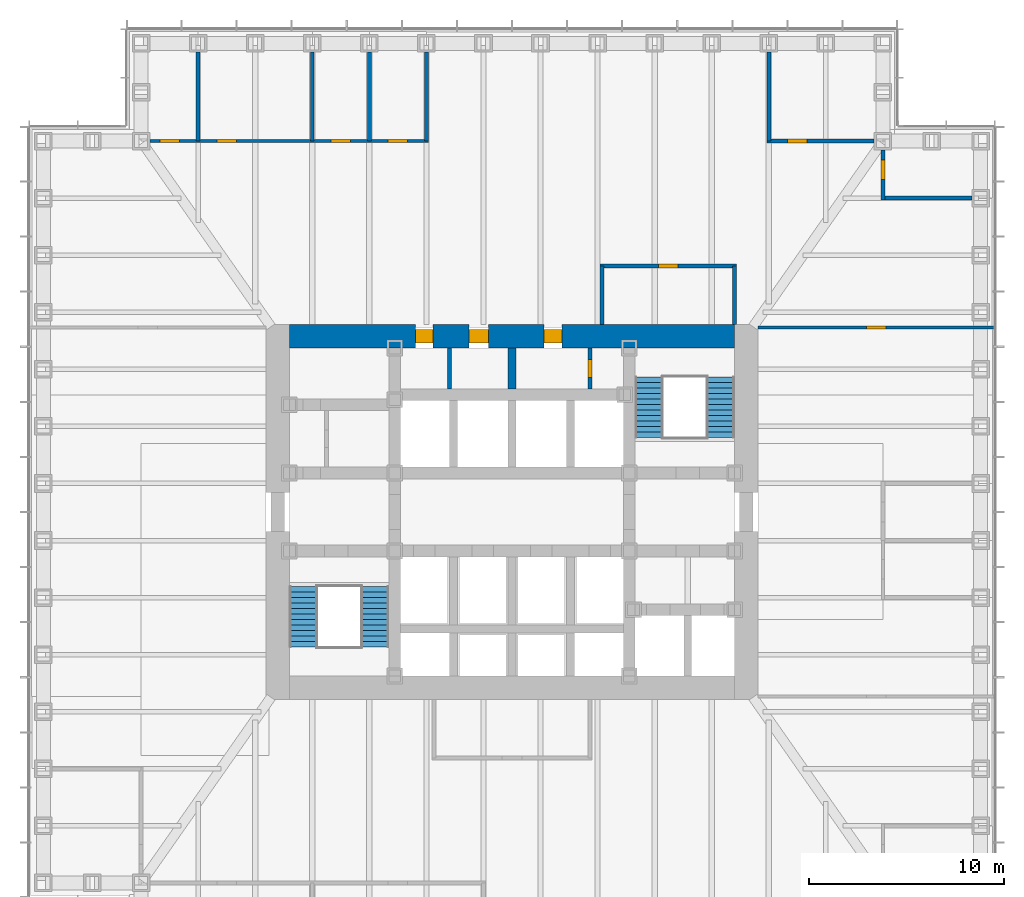
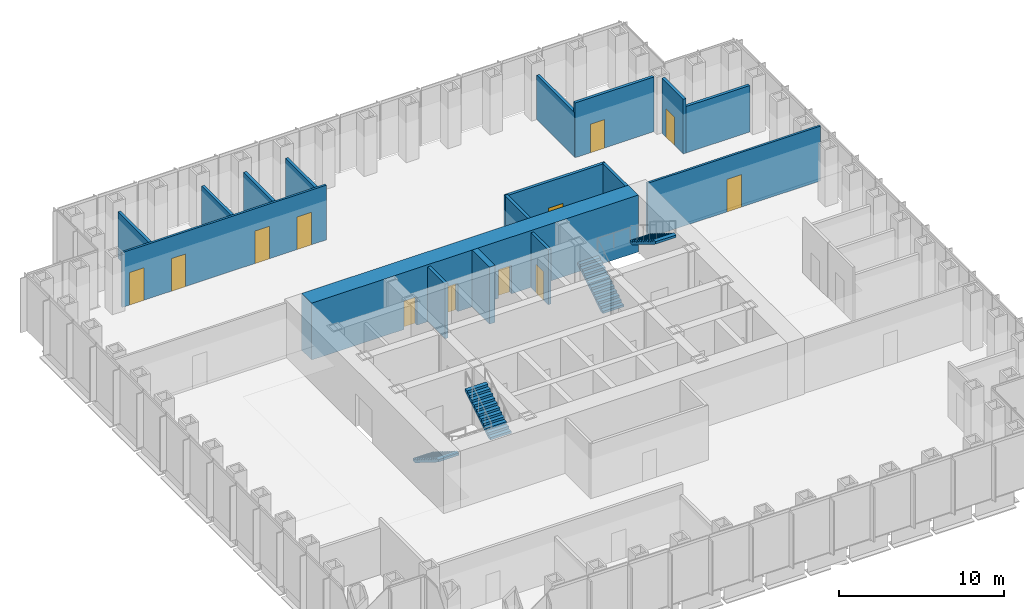
# One storey, part 10 of 16: 17 walls, 12 doors, 4 stair flights, 12 openings, 2 elements without a shape of their own.
"""IFC4 building model written with IfcOpenShell, lengths in metres."""

from ifc_helpers import new_model, si_unit, direction, frame, frame_2d, origin, place, context, subcontext, project, spatial, polyline, rectangle, outline, extrude, material, layer, layer_set, type_object, element, fill, aggregate, save


model = new_model("IFC4")

# Units and contexts
model_context = context("Model", 3, precision=1e-05, world=origin(), true_north=direction((0.0, 1.0)))
body_context = subcontext(model_context, "Body", "Model", "MODEL_VIEW")
ifc_project = project(units=[si_unit("LENGTHUNIT", "METRE"), si_unit("AREAUNIT", "SQUARE_METRE"), si_unit("VOLUMEUNIT", "CUBIC_METRE"), si_unit("PLANEANGLEUNIT", "RADIAN"), si_unit("MASSUNIT", "GRAM", prefix="KILO")], contexts=[model_context])

# Site, building, storey
site_placement = place(None, origin())
site = spatial("IfcSite", under=ifc_project, at=site_placement, CompositionType="ELEMENT")
building_placement = place(site_placement, origin())
building = spatial("IfcBuilding", under=site, at=building_placement, Name="Daluyong Arena Tower", CompositionType="ELEMENT")
storey_placement = place(building_placement, frame((0.0, 0.0, 68.5)))
storey = spatial("IfcBuildingStorey", under=building, at=storey_placement, Name="L14", CompositionType="ELEMENT", Elevation=68.5)

# Wall, openings, doors
ifc_material_1 = material(Name="Concrete fc' 60 MPa", Category="concrete")
ifc_layer_1 = layer(ifc_material_1, 1.199951171875)
ifc_layer_set_1 = layer_set([ifc_layer_1], Name="Concrete fc' 60 MPa")
wall_type_1 = type_object("IfcWallType", Name="Core wall 1200", PredefinedType="SHEAR", material=ifc_layer_set_1)
wall_1_placement = place(storey_placement, frame((44.60009765625, 89.0, 0.0), z_axis=(0.0, 0.0, 1.0), x_axis=(1.0, 0.0, 0.0)))
wall_1 = element("IfcWall", 1, at=wall_1_placement, inside=storey, type_object=wall_type_1, Name="core wall at L14", PredefinedType="SHEAR", context=body_context, shape_type="SweptSolid", body=[
    extrude(rectangle(XDim=22.7998046875, YDim=1.199951171875, at=frame_2d((11.39990234375, 0.0))), origin(), (0.0, 0.0, 1.0), 4.199951171875),
])
opening_1_placement = place(wall_1_placement, frame((9.199951171875, 0.0, 0.0)))
opening_1 = element("IfcOpeningElement", 2, at=opening_1_placement, cuts=wall_1, Name="Opening 14004", PredefinedType="OPENING", context=body_context, shape_type="SweptSolid", body=[
    extrude(rectangle(XDim=1.0, YDim=2.10009765625, at=frame_2d((0.5, 1.050048828125))), frame((0.0, 0.60986328125, 0.0), z_axis=(0.0, -1.0, 0.0), x_axis=(1.0, 0.0, 0.0)), (0.0, 0.0, 1.0), 1.219970703125),
])
opening_2_placement = place(wall_1_placement, frame((6.449951171875, 0.0, 0.0)))
opening_2 = element("IfcOpeningElement", 3, at=opening_2_placement, cuts=wall_1, Name="Opening 14005", PredefinedType="OPENING", context=body_context, shape_type="SweptSolid", body=[
    extrude(rectangle(XDim=0.89990234375, YDim=2.10009765625, at=frame_2d((0.449951171875, 1.050048828125))), frame((0.0, 0.60986328125, 0.0), z_axis=(0.0, -1.0, 0.0), x_axis=(1.0, 0.0, 0.0)), (0.0, 0.0, 1.0), 1.219970703125),
])
opening_3_placement = place(wall_1_placement, frame((13.050048828125, 0.0, 0.0)))
opening_3 = element("IfcOpeningElement", 4, at=opening_3_placement, cuts=wall_1, Name="Opening 14006", PredefinedType="OPENING", context=body_context, shape_type="SweptSolid", body=[
    extrude(rectangle(XDim=0.89990234375, YDim=2.10009765625, at=frame_2d((0.449951171875, 1.050048828125))), frame((0.0, 0.60986328125, 0.0), z_axis=(0.0, -1.0, 0.0), x_axis=(1.0, 0.0, 0.0)), (0.0, 0.0, 1.0), 1.219970703125),
])
ifc_material_2 = material(Name="Timber door", Category="wood")
door_type_1 = type_object("IfcDoorType", Name="Accessible toilet door 1000", OperationType="SINGLE_SWING_LEFT", PredefinedType="DOOR", material=ifc_material_2)
door_1_placement = place(opening_1_placement, origin())
door_1 = element("IfcDoor", 5, at=door_1_placement, inside=storey, type_object=door_type_1, Name="accessible toilet door 14004", OperationType="SINGLE_SWING_LEFT", OverallHeight=2.10009765625, OverallWidth=1.0, PredefinedType="DOOR", context=body_context, shape_type="SweptSolid", body=[
    extrude(rectangle(XDim=1.0, YDim=2.10009765625, at=frame_2d((0.5, 1.050048828125))), frame((0.0, 0.35009765625, 0.0), z_axis=(0.0, -1.0, 0.0), x_axis=(1.0, 0.0, 0.0)), (0.0, 0.0, 1.0), 0.699951171875),
])
fill(opening_1, door_1)
ifc_material_3 = material(Name="Steel door, fire rated", Category="steel")
door_type_2 = type_object("IfcDoorType", Name="Core room door 900", OperationType="SINGLE_SWING_LEFT", PredefinedType="DOOR", material=ifc_material_3)
door_2_placement = place(opening_2_placement, origin())
door_2 = element("IfcDoor", 6, at=door_2_placement, inside=storey, type_object=door_type_2, Name="parcel room door 14005", OperationType="SINGLE_SWING_LEFT", OverallHeight=2.10009765625, OverallWidth=0.89990234375, PredefinedType="DOOR", context=body_context, shape_type="SweptSolid", body=[
    extrude(rectangle(XDim=0.89990234375, YDim=2.10009765625, at=frame_2d((0.449951171875, 1.050048828125))), frame((0.0, 0.35009765625, 0.0), z_axis=(0.0, -1.0, 0.0), x_axis=(1.0, 0.0, 0.0)), (0.0, 0.0, 1.0), 0.699951171875),
])
fill(opening_2, door_2)
door_3_placement = place(opening_3_placement, origin())
door_3 = element("IfcDoor", 7, at=door_3_placement, inside=storey, type_object=door_type_2, Name="print room door 14006", OperationType="SINGLE_SWING_LEFT", OverallHeight=2.10009765625, OverallWidth=0.89990234375, PredefinedType="DOOR", context=body_context, shape_type="SweptSolid", body=[
    extrude(rectangle(XDim=0.89990234375, YDim=2.10009765625, at=frame_2d((0.449951171875, 1.050048828125))), frame((0.0, 0.35009765625, 0.0), z_axis=(0.0, -1.0, 0.0), x_axis=(1.0, 0.0, 0.0)), (0.0, 0.0, 1.0), 0.699951171875),
])
fill(opening_3, door_3)

# Wall
ifc_material_4 = material(Name="Concrete block partition, fire rated", Category="concrete")
ifc_layer_2 = layer(ifc_material_4, 0.199951171875)
ifc_layer_set_2 = layer_set([ifc_layer_2], Name="Concrete block partition, fire rated")
wall_type_2 = type_object("IfcWallType", Name="Fire-rated partition 200", PredefinedType="PARTITIONING", material=ifc_layer_set_2)
wall_2_placement = place(storey_placement, frame((52.800048828125, 86.300048828125, 0.0), z_axis=(0.0, 0.0, 1.0), x_axis=(0.0, 1.0, 0.0)))
element("IfcWall", 8, at=wall_2_placement, inside=storey, type_object=wall_type_2, Name="core room partition at L14", PredefinedType="PARTITIONING", context=body_context, shape_type="SweptSolid", body=[
    extrude(rectangle(XDim=2.099853515625, YDim=0.199951171875, at=frame_2d((1.0498046875, 0.0))), origin(), (0.0, 0.0, 1.0), 4.0400390625),
])

# Wall, opening, door
wall_3_placement = place(storey_placement, frame((60.0, 86.300048828125, 0.0), z_axis=(0.0, 0.0, 1.0), x_axis=(0.0, 1.0, 0.0)))
wall_3 = element("IfcWall", 9, at=wall_3_placement, inside=storey, type_object=wall_type_2, Name="electrical riser enclosure at L14", PredefinedType="PARTITIONING", context=body_context, shape_type="SweptSolid", body=[
    extrude(rectangle(XDim=2.099853515625, YDim=0.199951171875, at=frame_2d((1.0498046875, 0.0))), origin(), (0.0, 0.0, 1.0), 4.0400390625),
])
opening_4_placement = place(wall_3_placement, frame((0.60009765625, 0.0, 0.0)))
opening_4 = element("IfcOpeningElement", 10, at=opening_4_placement, cuts=wall_3, Name="Opening 14007", PredefinedType="OPENING", context=body_context, shape_type="SweptSolid", body=[
    extrude(rectangle(XDim=0.89990234375, YDim=2.10009765625, at=frame_2d((0.449951171875, 1.050048828125))), frame((0.0, 0.10986328125, 0.0), z_axis=(0.0, -1.0, 0.0), x_axis=(1.0, 0.0, 0.0)), (0.0, 0.0, 1.0), 0.219970703125),
])
ifc_material_5 = material(Name="Steel door, fire rated", Category="steel")
door_type_3 = type_object("IfcDoorType", Name="Riser door 900", OperationType="SINGLE_SWING_LEFT", PredefinedType="DOOR", material=ifc_material_5)
door_4_placement = place(opening_4_placement, origin())
door_4 = element("IfcDoor", 11, at=door_4_placement, inside=storey, type_object=door_type_3, Name="riser door 14007", OperationType="SINGLE_SWING_LEFT", OverallHeight=2.10009765625, OverallWidth=0.89990234375, PredefinedType="DOOR", context=body_context, shape_type="SweptSolid", body=[
    extrude(rectangle(XDim=0.89990234375, YDim=2.10009765625, at=frame_2d((0.449951171875, 1.050048828125))), frame((0.0, 0.099609375, 0.0), z_axis=(0.0, -1.0, 0.0), x_axis=(1.0, 0.0, 0.0)), (0.0, 0.0, 1.0), 0.199462890625),
])
fill(opening_4, door_4)

ifc_material_6 = material(Name="Glazed aluminium partition", Category="aluminium")
ifc_layer_3 = layer(ifc_material_6, 0.14990234375)
ifc_layer_set_3 = layer_set([ifc_layer_3], Name="Glazed aluminium partition")
wall_type_3 = type_object("IfcWallType", Name="Glazed partition 150", PredefinedType="PARTITIONING", material=ifc_layer_set_3)
wall_4_placement = place(storey_placement, frame((68.60009765625, 89.449951171875, 0.0), z_axis=(0.0, 0.0, 1.0), x_axis=(1.0, 0.0, 0.0)))
wall_4 = element("IfcWall", 12, at=wall_4_placement, inside=storey, type_object=wall_type_3, Name="glazed partition at L14", PredefinedType="PARTITIONING", context=body_context, shape_type="SweptSolid", body=[
    extrude(rectangle(XDim=12.08984375, YDim=0.14990234375, at=frame_2d((6.044921875, 0.0))), origin(), (0.0, 0.0, 1.0), 4.0400390625),
])
opening_5_placement = place(wall_4_placement, frame((5.544921875, 0.0, 0.0)))
opening_5 = element("IfcOpeningElement", 13, at=opening_5_placement, cuts=wall_4, Name="Opening 14037", PredefinedType="OPENING", context=body_context, shape_type="SweptSolid", body=[
    extrude(rectangle(XDim=1.0, YDim=2.39990234375, at=frame_2d((0.5, 1.199951171875))), frame((0.0, 0.0849609375, 0.0), z_axis=(0.0, -1.0, 0.0), x_axis=(1.0, 0.0, 0.0)), (0.0, 0.0, 1.0), 0.169921875),
])
ifc_material_7 = material(Name="Glazed aluminium door", Category="aluminium")
door_type_4 = type_object("IfcDoorType", Name="Meeting room glazed door 1000", OperationType="SINGLE_SWING_RIGHT", PredefinedType="DOOR", material=ifc_material_7)
door_5_placement = place(opening_5_placement, origin())
door_5 = element("IfcDoor", 14, at=door_5_placement, inside=storey, type_object=door_type_4, Name="team area screen door 14037", OperationType="SINGLE_SWING_RIGHT", OverallHeight=2.39990234375, OverallWidth=1.0, PredefinedType="DOOR", context=body_context, shape_type="SweptSolid", body=[
    extrude(rectangle(XDim=1.0, YDim=2.39990234375, at=frame_2d((0.5, 1.199951171875))), frame((0.0, 0.07470703125, 0.0), z_axis=(0.0, -1.0, 0.0), x_axis=(1.0, 0.0, 0.0)), (0.0, 0.0, 1.0), 0.1494140625),
])
fill(opening_5, door_5)

# Wall, openings, doors
wall_5_placement = place(storey_placement, frame((37.449951171875, 99.0, 0.0), z_axis=(0.0, 0.0, 1.0), x_axis=(1.0, 0.0, 0.0)))
wall_5 = element("IfcWall", 15, at=wall_5_placement, inside=storey, type_object=wall_type_3, Name="glazed partition at L14", PredefinedType="PARTITIONING", context=body_context, shape_type="SweptSolid", body=[
    extrude(rectangle(XDim=14.265380859375, YDim=0.14990234375, at=frame_2d((7.1328125, 0.0))), origin(), (0.0, 0.0, 1.0), 4.0400390625),
])
opening_6_placement = place(wall_5_placement, frame((0.511474609375, 0.0, 0.0)))
opening_6 = element("IfcOpeningElement", 16, at=opening_6_placement, cuts=wall_5, Name="Opening 14027", PredefinedType="OPENING", context=body_context, shape_type="SweptSolid", body=[
    extrude(rectangle(XDim=1.0, YDim=2.39990234375, at=frame_2d((0.5, 1.199951171875))), frame((0.0, 0.0849609375, 0.0), z_axis=(0.0, -1.0, 0.0), x_axis=(1.0, 0.0, 0.0)), (0.0, 0.0, 1.0), 0.169921875),
])
opening_7_placement = place(wall_5_placement, frame((3.4345703125, 0.0, 0.0)))
opening_7 = element("IfcOpeningElement", 17, at=opening_7_placement, cuts=wall_5, Name="Opening 14028", PredefinedType="OPENING", context=body_context, shape_type="SweptSolid", body=[
    extrude(rectangle(XDim=1.0, YDim=2.39990234375, at=frame_2d((0.5, 1.199951171875))), frame((0.0, 0.0849609375, 0.0), z_axis=(0.0, -1.0, 0.0), x_axis=(1.0, 0.0, 0.0)), (0.0, 0.0, 1.0), 0.169921875),
])
opening_8_placement = place(wall_5_placement, frame((9.28076171875, 0.0, 0.0)))
opening_8 = element("IfcOpeningElement", 18, at=opening_8_placement, cuts=wall_5, Name="Opening 14029", PredefinedType="OPENING", context=body_context, shape_type="SweptSolid", body=[
    extrude(rectangle(XDim=1.0, YDim=2.39990234375, at=frame_2d((0.5, 1.199951171875))), frame((0.0, 0.0849609375, 0.0), z_axis=(0.0, -1.0, 0.0), x_axis=(1.0, 0.0, 0.0)), (0.0, 0.0, 1.0), 0.169921875),
])
opening_9_placement = place(wall_5_placement, frame((12.203857421875, 0.0, 0.0)))
opening_9 = element("IfcOpeningElement", 19, at=opening_9_placement, cuts=wall_5, Name="Opening 14030", PredefinedType="OPENING", context=body_context, shape_type="SweptSolid", body=[
    extrude(rectangle(XDim=1.0, YDim=2.39990234375, at=frame_2d((0.5, 1.199951171875))), frame((0.0, 0.0849609375, 0.0), z_axis=(0.0, -1.0, 0.0), x_axis=(1.0, 0.0, 0.0)), (0.0, 0.0, 1.0), 0.169921875),
])
door_6_placement = place(opening_6_placement, origin())
door_6 = element("IfcDoor", 20, at=door_6_placement, inside=storey, type_object=door_type_4, Name="focus room door 14027", OperationType="SINGLE_SWING_RIGHT", OverallHeight=2.39990234375, OverallWidth=1.0, PredefinedType="DOOR", context=body_context, shape_type="SweptSolid", body=[
    extrude(rectangle(XDim=1.0, YDim=2.39990234375, at=frame_2d((0.5, 1.199951171875))), frame((0.0, 0.07470703125, 0.0), z_axis=(0.0, -1.0, 0.0), x_axis=(1.0, 0.0, 0.0)), (0.0, 0.0, 1.0), 0.1494140625),
])
fill(opening_6, door_6)
door_7_placement = place(opening_7_placement, origin())
door_7 = element("IfcDoor", 21, at=door_7_placement, inside=storey, type_object=door_type_4, Name="meeting room door 14028", OperationType="SINGLE_SWING_RIGHT", OverallHeight=2.39990234375, OverallWidth=1.0, PredefinedType="DOOR", context=body_context, shape_type="SweptSolid", body=[
    extrude(rectangle(XDim=1.0, YDim=2.39990234375, at=frame_2d((0.5, 1.199951171875))), frame((0.0, 0.07470703125, 0.0), z_axis=(0.0, -1.0, 0.0), x_axis=(1.0, 0.0, 0.0)), (0.0, 0.0, 1.0), 0.1494140625),
])
fill(opening_7, door_7)
door_8_placement = place(opening_8_placement, origin())
door_8 = element("IfcDoor", 22, at=door_8_placement, inside=storey, type_object=door_type_4, Name="focus room door 14029", OperationType="SINGLE_SWING_RIGHT", OverallHeight=2.39990234375, OverallWidth=1.0, PredefinedType="DOOR", context=body_context, shape_type="SweptSolid", body=[
    extrude(rectangle(XDim=1.0, YDim=2.39990234375, at=frame_2d((0.5, 1.199951171875))), frame((0.0, 0.07470703125, 0.0), z_axis=(0.0, -1.0, 0.0), x_axis=(1.0, 0.0, 0.0)), (0.0, 0.0, 1.0), 0.1494140625),
])
fill(opening_8, door_8)
door_9_placement = place(opening_9_placement, origin())
door_9 = element("IfcDoor", 23, at=door_9_placement, inside=storey, type_object=door_type_4, Name="focus room door 14030", OperationType="SINGLE_SWING_RIGHT", OverallHeight=2.39990234375, OverallWidth=1.0, PredefinedType="DOOR", context=body_context, shape_type="SweptSolid", body=[
    extrude(rectangle(XDim=1.0, YDim=2.39990234375, at=frame_2d((0.5, 1.199951171875))), frame((0.0, 0.07470703125, 0.0), z_axis=(0.0, -1.0, 0.0), x_axis=(1.0, 0.0, 0.0)), (0.0, 0.0, 1.0), 0.1494140625),
])
fill(opening_9, door_9)

# Walls
ifc_material_8 = material(Name="Concrete fc' 45 MPa", Category="concrete")
ifc_layer_4 = layer(ifc_material_8, 0.39990234375)
ifc_layer_set_4 = layer_set([ifc_layer_4], Name="Concrete fc' 45 MPa")
wall_type_4 = type_object("IfcWallType", Name="Lift shaft wall 400", PredefinedType="SHEAR", material=ifc_layer_set_4)
wall_6_placement = place(storey_placement, frame((56.0, 86.300048828125, 0.0), z_axis=(0.0, 0.0, 1.0), x_axis=(0.0, 1.0, 0.0)))
element("IfcWall", 24, at=wall_6_placement, inside=storey, type_object=wall_type_4, Name="lift shaft wall at L14", PredefinedType="SHEAR", context=body_context, shape_type="SweptSolid", body=[
    extrude(rectangle(XDim=2.099853515625, YDim=0.39990234375, at=frame_2d((1.0498046875, 0.0))), origin(), (0.0, 0.0, 1.0), 4.199951171875),
])
ifc_material_9 = material(Name="Concrete block partition", Category="concrete")
ifc_layer_5 = layer(ifc_material_9, 0.199951171875)
ifc_layer_set_5 = layer_set([ifc_layer_5], Name="Concrete block partition")
wall_type_5 = type_object("IfcWallType", Name="Partition 200", PredefinedType="PARTITIONING", material=ifc_layer_set_5)
for number, where, z_axis, x_axis, name in (
    (25, (75.0, 96.076904296875, 0.0), (0.0, 0.0, 1.0), (1.0, 0.0, 0.0), "partition at L14"),
    (26, (39.923095703125, 99.0, 0.0), (0.0, 0.0, 1.0), (0.0, 1.0, 0.0), "partition at L14"),
):
    element("IfcWall", number, at=place(storey_placement, frame(where, z_axis=z_axis, x_axis=x_axis)), inside=storey, type_object=wall_type_5, Name=name, PredefinedType="PARTITIONING", context=body_context, shape_type="SweptSolid", body=[
        extrude(rectangle(XDim=4.550048828125, YDim=0.199951171875, at=frame_2d((2.27490234375, 0.0))), origin(), (0.0, 0.0, 1.0), 3.427978515625),
    ])
for number, where, z_axis, x_axis, name in (
    (27, (45.769287109375, 99.0, 0.0), (0.0, 0.0, 1.0), (0.0, 1.0, 0.0), "partition at L14"),
    (28, (48.6923828125, 99.0, 0.0), (0.0, 0.0, 1.0), (0.0, 1.0, 0.0), "partition at L14"),
    (29, (51.615478515625, 99.0, 0.0), (0.0, 0.0, 1.0), (0.0, 1.0, 0.0), "partition at L14"),
    (30, (69.15380859375, 99.0, 0.0), (0.0, 0.0, 1.0), (0.0, 1.0, 0.0), "partition at L14"),
):
    element("IfcWall", number, at=place(storey_placement, frame(where, z_axis=z_axis, x_axis=x_axis)), inside=storey, type_object=wall_type_5, Name=name, PredefinedType="PARTITIONING", context=body_context, shape_type="SweptSolid", body=[
        extrude(rectangle(XDim=4.550048828125, YDim=0.199951171875, at=frame_2d((2.27490234375, 0.0))), origin(), (0.0, 0.0, 1.0), 3.278076171875),
    ])
for number, where, z_axis, x_axis, name in (
    (31, (60.60009765625, 89.60009765625, 0.0), (0.0, 0.0, 1.0), (0.0, 1.0, 0.0), "partition at L14"),
    (32, (67.39990234375, 89.60009765625, 0.0), (0.0, 0.0, 1.0), (0.0, 1.0, 0.0), "partition at L14"),
):
    element("IfcWall", number, at=place(storey_placement, frame(where, z_axis=z_axis, x_axis=x_axis)), inside=storey, type_object=wall_type_5, Name=name, PredefinedType="PARTITIONING", context=body_context, shape_type="SweptSolid", body=[
        extrude(rectangle(XDim=3.0, YDim=0.199951171875, at=frame_2d((1.5, 0.0))), origin(), (0.0, 0.0, 1.0), 4.0400390625),
    ])

# Wall, opening, door
wall_7_placement = place(storey_placement, frame((60.5, 92.60009765625, 0.0), z_axis=(0.0, 0.0, 1.0), x_axis=(1.0, 0.0, 0.0)))
wall_7 = element("IfcWall", 33, at=wall_7_placement, inside=storey, type_object=wall_type_5, Name="partition at L14", PredefinedType="PARTITIONING", context=body_context, shape_type="SweptSolid", body=[
    extrude(rectangle(XDim=7.0, YDim=0.199951171875, at=frame_2d((3.5, 0.0))), origin(), (0.0, 0.0, 1.0), 4.0400390625),
])
opening_10_placement = place(wall_7_placement, frame((3.0, 0.0, 0.0)))
opening_10 = element("IfcOpeningElement", 34, at=opening_10_placement, cuts=wall_7, Name="Opening 14033", PredefinedType="OPENING", context=body_context, shape_type="SweptSolid", body=[
    extrude(rectangle(XDim=1.0, YDim=2.10009765625, at=frame_2d((0.5, 1.050048828125))), frame((0.0, 0.10986328125, 0.0), z_axis=(0.0, -1.0, 0.0), x_axis=(1.0, 0.0, 0.0)), (0.0, 0.0, 1.0), 0.219970703125),
])
ifc_material_10 = material(Name="Timber door", Category="wood")
door_type_5 = type_object("IfcDoorType", Name="Room door 1000", OperationType="SINGLE_SWING_LEFT", PredefinedType="DOOR", material=ifc_material_10)
door_10_placement = place(opening_10_placement, origin())
door_10 = element("IfcDoor", 35, at=door_10_placement, inside=storey, type_object=door_type_5, Name="locker room door 14033", OperationType="SINGLE_SWING_LEFT", OverallHeight=2.10009765625, OverallWidth=1.0, PredefinedType="DOOR", context=body_context, shape_type="SweptSolid", body=[
    extrude(rectangle(XDim=1.0, YDim=2.10009765625, at=frame_2d((0.5, 1.050048828125))), frame((0.0, 0.099609375, 0.0), z_axis=(0.0, -1.0, 0.0), x_axis=(1.0, 0.0, 0.0)), (0.0, 0.0, 1.0), 0.199462890625),
])
fill(opening_10, door_10)

wall_8_placement = place(storey_placement, frame((69.053955078125, 99.0, 0.0), z_axis=(0.0, 0.0, 1.0), x_axis=(1.0, 0.0, 0.0)))
wall_8 = element("IfcWall", 36, at=wall_8_placement, inside=storey, type_object=wall_type_5, Name="partition at L14", PredefinedType="PARTITIONING", context=body_context, shape_type="SweptSolid", body=[
    extrude(rectangle(XDim=5.49609375, YDim=0.199951171875, at=frame_2d((2.748046875, 0.0))), origin(), (0.0, 0.0, 1.0), 4.0400390625),
])
opening_11_placement = place(wall_8_placement, frame((1.0615234375, 0.0, 0.0)))
opening_11 = element("IfcOpeningElement", 37, at=opening_11_placement, cuts=wall_8, Name="Opening 14031", PredefinedType="OPENING", context=body_context, shape_type="SweptSolid", body=[
    extrude(rectangle(XDim=1.0, YDim=2.10009765625, at=frame_2d((0.5, 1.050048828125))), frame((0.0, 0.10986328125, 0.0), z_axis=(0.0, -1.0, 0.0), x_axis=(1.0, 0.0, 0.0)), (0.0, 0.0, 1.0), 0.219970703125),
])
door_11_placement = place(opening_11_placement, origin())
door_11 = element("IfcDoor", 38, at=door_11_placement, inside=storey, type_object=door_type_5, Name="wellness room door 14031", OperationType="SINGLE_SWING_LEFT", OverallHeight=2.10009765625, OverallWidth=1.0, PredefinedType="DOOR", context=body_context, shape_type="SweptSolid", body=[
    extrude(rectangle(XDim=1.0, YDim=2.10009765625, at=frame_2d((0.5, 1.050048828125))), frame((0.0, 0.099609375, 0.0), z_axis=(0.0, -1.0, 0.0), x_axis=(1.0, 0.0, 0.0)), (0.0, 0.0, 1.0), 0.199462890625),
])
fill(opening_11, door_11)

wall_9_placement = place(storey_placement, frame((75.0, 95.976806640625, 0.0), z_axis=(0.0, 0.0, 1.0), x_axis=(0.0, 1.0, 0.0)))
wall_9 = element("IfcWall", 39, at=wall_9_placement, inside=storey, type_object=wall_type_5, Name="partition at L14", PredefinedType="PARTITIONING", context=body_context, shape_type="SweptSolid", body=[
    extrude(rectangle(XDim=2.5732421875, YDim=0.199951171875, at=frame_2d((1.28662109375, 0.0))), origin(), (0.0, 0.0, 1.0), 4.0400390625),
])
opening_12_placement = place(wall_9_placement, frame((1.0615234375, 0.0, 0.0)))
opening_12 = element("IfcOpeningElement", 40, at=opening_12_placement, cuts=wall_9, Name="Opening 14026", PredefinedType="OPENING", context=body_context, shape_type="SweptSolid", body=[
    extrude(rectangle(XDim=1.0, YDim=2.10009765625, at=frame_2d((0.5, 1.050048828125))), frame((0.0, 0.10986328125, 0.0), z_axis=(0.0, -1.0, 0.0), x_axis=(1.0, 0.0, 0.0)), (0.0, 0.0, 1.0), 0.219970703125),
])
door_12_placement = place(opening_12_placement, origin())
door_12 = element("IfcDoor", 41, at=door_12_placement, inside=storey, type_object=door_type_5, Name="wellness room door 14026", OperationType="SINGLE_SWING_LEFT", OverallHeight=2.10009765625, OverallWidth=1.0, PredefinedType="DOOR", context=body_context, shape_type="SweptSolid", body=[
    extrude(rectangle(XDim=1.0, YDim=2.10009765625, at=frame_2d((0.5, 1.050048828125))), frame((0.0, 0.099609375, 0.0), z_axis=(0.0, -1.0, 0.0), x_axis=(1.0, 0.0, 0.0)), (0.0, 0.0, 1.0), 0.199462890625),
])
fill(opening_12, door_12)

# Stair, stair flights
ifc_material_11 = material(Name="Concrete fc' 35 MPa", Category="concrete")
stair_type = type_object("IfcStairType", Name="Core exit stair", PredefinedType="HALF_TURN_STAIR", material=ifc_material_11)
stair_1_placement = place(storey_placement, origin())
stair_1 = element("IfcStair", 42, at=stair_1_placement, inside=storey, type_object=stair_type, Name="exit stair A L14", PredefinedType="HALF_TURN_STAIR")
ifc_material_12 = material(Name="Concrete fc' 35 MPa", Category="concrete")
stair_flight_type = type_object("IfcStairFlightType", Name="Core stair flight", PredefinedType="STRAIGHT", material=ifc_material_12)
stair_flight_1_placement = place(storey_placement, frame((45.324951171875, 76.175048828125, 0.0), z_axis=(0.0, 0.0, 1.0), x_axis=(0.0, -1.0, 0.0)))
stair_flight_1 = element("IfcStairFlight", 43, at=stair_flight_1_placement, type_object=stair_flight_type, Name="STA flight 1", NumberOfRisers=12, NumberOfTreads=11, PredefinedType="STRAIGHT", RiserHeight=0.175, TreadLength=0.28, context=body_context, shape_type="SweptSolid", body=[
    extrude(outline(polyline([(0.0, 0.0), (0.0, 0.175048828125), (0.280029296875, 0.175048828125), (0.280029296875, 0.35009765625), (0.56005859375, 0.35009765625), (0.56005859375, 0.52490234375), (0.840087890625, 0.52490234375), (0.840087890625, 0.699951171875), (1.1201171875, 0.699951171875), (1.1201171875, 0.875), (1.39990234375, 0.875), (1.39990234375, 1.050048828125), (1.679931640625, 1.050048828125), (1.679931640625, 1.22509765625), (1.9599609375, 1.22509765625), (1.9599609375, 1.39990234375), (2.239990234375, 1.39990234375), (2.239990234375, 1.574951171875), (2.52001953125, 1.574951171875), (2.52001953125, 1.75), (2.800048828125, 1.75), (2.800048828125, 1.925048828125), (3.080078125, 1.925048828125), (3.080078125, 2.10009765625), (3.080078125, 1.748291015625), (0.28271484375, 0.0), (0.0, 0.0)])), frame((0.0, 0.72509765625, 0.0), z_axis=(0.0, -1.0, 0.0), x_axis=(1.0, 0.0, 0.0)), (0.0, 0.0, 1.0), 1.449951171875),
])
stair_flight_2_placement = place(storey_placement, frame((48.97509765625, 73.094970703125, 2.10009765625), z_axis=(0.0, 0.0, 1.0), x_axis=(0.0, 1.0, 0.0)))
stair_flight_2 = element("IfcStairFlight", 44, at=stair_flight_2_placement, type_object=stair_flight_type, Name="STA flight 2", NumberOfRisers=12, NumberOfTreads=11, PredefinedType="STRAIGHT", RiserHeight=0.175, TreadLength=0.28, context=body_context, shape_type="SweptSolid", body=[
    extrude(outline(polyline([(0.0, 0.0), (0.0, 0.175048828125), (0.280029296875, 0.175048828125), (0.280029296875, 0.35009765625), (0.56005859375, 0.35009765625), (0.56005859375, 0.52490234375), (0.840087890625, 0.52490234375), (0.840087890625, 0.699951171875), (1.1201171875, 0.699951171875), (1.1201171875, 0.875), (1.39990234375, 0.875), (1.39990234375, 1.050048828125), (1.679931640625, 1.050048828125), (1.679931640625, 1.22509765625), (1.9599609375, 1.22509765625), (1.9599609375, 1.39990234375), (2.239990234375, 1.39990234375), (2.239990234375, 1.574951171875), (2.52001953125, 1.574951171875), (2.52001953125, 1.75), (2.800048828125, 1.75), (2.800048828125, 1.925048828125), (3.080078125, 1.925048828125), (3.080078125, 2.10009765625), (3.080078125, 1.748291015625), (0.28271484375, 0.0), (0.0, 0.0)])), frame((0.0, 0.72509765625, 0.0), z_axis=(0.0, -1.0, 0.0), x_axis=(1.0, 0.0, 0.0)), (0.0, 0.0, 1.0), 1.449951171875),
])
aggregate(stair_1, [stair_flight_1, stair_flight_2])

stair_2_placement = place(storey_placement, origin())
stair_2 = element("IfcStair", 45, at=stair_2_placement, inside=storey, type_object=stair_type, Name="exit stair B L14", PredefinedType="HALF_TURN_STAIR")
stair_flight_3_placement = place(storey_placement, frame((63.02490234375, 83.824951171875, 0.0), z_axis=(0.0, 0.0, 1.0), x_axis=(0.0, 1.0, 0.0)))
stair_flight_3 = element("IfcStairFlight", 46, at=stair_flight_3_placement, type_object=stair_flight_type, Name="STB flight 1", NumberOfRisers=12, NumberOfTreads=11, PredefinedType="STRAIGHT", RiserHeight=0.175, TreadLength=0.28, context=body_context, shape_type="SweptSolid", body=[
    extrude(outline(polyline([(0.0, 0.0), (0.0, 0.175048828125), (0.280029296875, 0.175048828125), (0.280029296875, 0.35009765625), (0.56005859375, 0.35009765625), (0.56005859375, 0.52490234375), (0.840087890625, 0.52490234375), (0.840087890625, 0.699951171875), (1.1201171875, 0.699951171875), (1.1201171875, 0.875), (1.39990234375, 0.875), (1.39990234375, 1.050048828125), (1.679931640625, 1.050048828125), (1.679931640625, 1.22509765625), (1.9599609375, 1.22509765625), (1.9599609375, 1.39990234375), (2.239990234375, 1.39990234375), (2.239990234375, 1.574951171875), (2.52001953125, 1.574951171875), (2.52001953125, 1.75), (2.800048828125, 1.75), (2.800048828125, 1.925048828125), (3.080078125, 1.925048828125), (3.080078125, 2.10009765625), (3.080078125, 1.748291015625), (0.28271484375, 0.0), (0.0, 0.0)])), frame((0.0, 0.72509765625, 0.0), z_axis=(0.0, -1.0, 0.0), x_axis=(1.0, 0.0, 0.0)), (0.0, 0.0, 1.0), 1.449951171875),
])
stair_flight_4_placement = place(storey_placement, frame((66.675048828125, 86.905029296875, 2.10009765625), z_axis=(0.0, 0.0, 1.0), x_axis=(0.0, -1.0, 0.0)))
stair_flight_4 = element("IfcStairFlight", 47, at=stair_flight_4_placement, type_object=stair_flight_type, Name="STB flight 2", NumberOfRisers=12, NumberOfTreads=11, PredefinedType="STRAIGHT", RiserHeight=0.175, TreadLength=0.28, context=body_context, shape_type="SweptSolid", body=[
    extrude(outline(polyline([(0.0, 0.0), (0.0, 0.175048828125), (0.280029296875, 0.175048828125), (0.280029296875, 0.35009765625), (0.56005859375, 0.35009765625), (0.56005859375, 0.52490234375), (0.840087890625, 0.52490234375), (0.840087890625, 0.699951171875), (1.1201171875, 0.699951171875), (1.1201171875, 0.875), (1.39990234375, 0.875), (1.39990234375, 1.050048828125), (1.679931640625, 1.050048828125), (1.679931640625, 1.22509765625), (1.9599609375, 1.22509765625), (1.9599609375, 1.39990234375), (2.239990234375, 1.39990234375), (2.239990234375, 1.574951171875), (2.52001953125, 1.574951171875), (2.52001953125, 1.75), (2.800048828125, 1.75), (2.800048828125, 1.925048828125), (3.080078125, 1.925048828125), (3.080078125, 2.10009765625), (3.080078125, 1.748291015625), (0.28271484375, 0.0), (0.0, 0.0)])), frame((0.0, 0.72509765625, 0.0), z_axis=(0.0, -1.0, 0.0), x_axis=(1.0, 0.0, 0.0)), (0.0, 0.0, 1.0), 1.449951171875),
])
aggregate(stair_2, [stair_flight_3, stair_flight_4])

save(model, "model.ifc")
